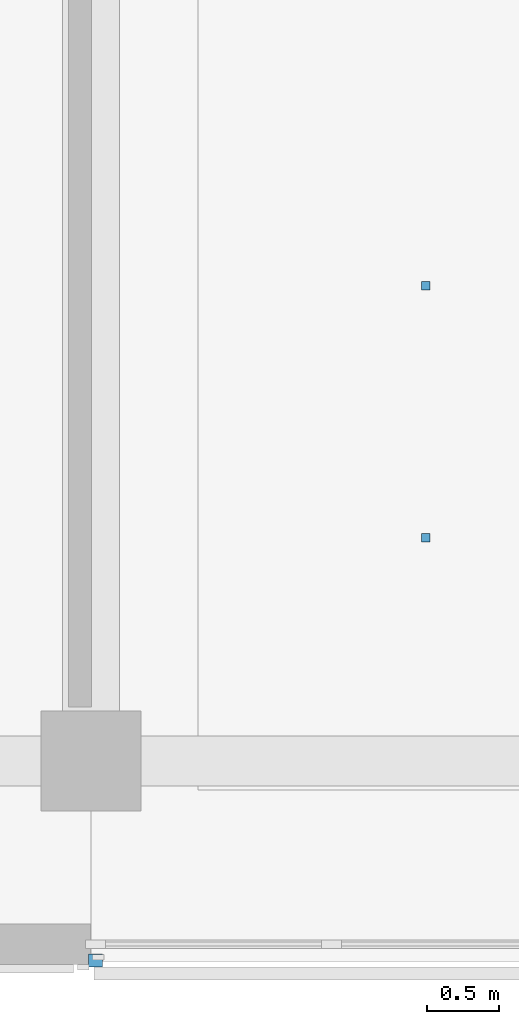
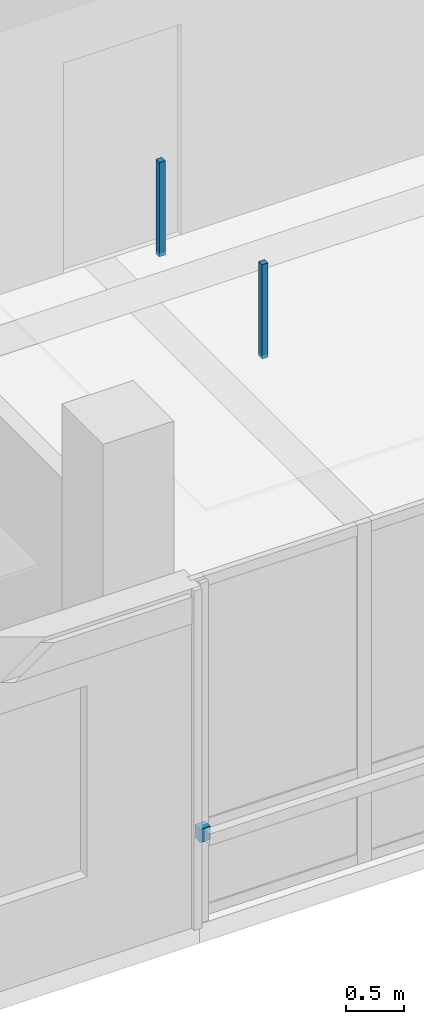
# One storey, part 16 of 32: 3 discrete accessories.
"""IFC4 building model written with IfcOpenShell, lengths in metres."""

from ifc_helpers import new_model, si_unit, direction, frame, origin, origin_2d, place, context, subcontext, project, spatial, rectangle, extrude, material, type_object, element, save


model = new_model("IFC4")

# Units and contexts
model_context = context("Model", 3, precision=1e-05, world=origin(), true_north=direction((0.0, 1.0)))
body_context = subcontext(model_context, "Body", "Model", "MODEL_VIEW")
ifc_project = project(units=[si_unit("LENGTHUNIT", "METRE"), si_unit("AREAUNIT", "SQUARE_METRE"), si_unit("VOLUMEUNIT", "CUBIC_METRE"), si_unit("PLANEANGLEUNIT", "RADIAN"), si_unit("MASSUNIT", "GRAM", prefix="KILO")], contexts=[model_context])

# Site, building, storey
site_placement = place(None, origin())
site = spatial("IfcSite", under=ifc_project, at=site_placement, CompositionType="ELEMENT")
building_placement = place(site_placement, origin())
building = spatial("IfcBuilding", under=site, at=building_placement, Name="Telukmera Botanical Conservatory", CompositionType="ELEMENT")
storey_placement = place(building_placement, frame((0.0, 0.0, 42.0)))
storey = spatial("IfcBuildingStorey", under=building, at=storey_placement, Name="L09", CompositionType="ELEMENT", Elevation=42.0)

# Discrete accessories
ifc_material = material(Name="Steel S355", Category="steel")
discrete_accessory_type_1 = type_object("IfcDiscreteAccessoryType", Name="ACC-CEIL-HGR", PredefinedType="BRACKET", material=ifc_material)
for number, where, z_axis, x_axis, name in (
    (1, (77.940673828125, 12.16259765625, 3.31982421875), (0.0, 0.0, 1.0), (1.0, 0.0, 0.0), "L09 Suspended Ceiling Hanger Rod 031-1"),
    (2, (77.940673828125, 13.925048828125, 3.31982421875), (0.0, 0.0, 1.0), (1.0, 0.0, 0.0), "L09 Suspended Ceiling Hanger Rod 031-2"),
):
    element("IfcDiscreteAccessory", number, at=place(storey_placement, frame(where, z_axis=z_axis, x_axis=x_axis)), inside=storey, type_object=discrete_accessory_type_1, Name=name, PredefinedType="BRACKET", context=body_context, shape_type="SweptSolid", body=[
        extrude(rectangle(XDim=0.06005859375, YDim=0.06005859375, at=origin_2d()), origin(), (0.0, 0.0, 1.0), 0.985107421875),
    ])
discrete_accessory_type_2 = type_object("IfcDiscreteAccessoryType", Name="Structural Steel Facade Outrigger Fin Bracket", PredefinedType="BRACKET", material=ifc_material)
discrete_accessory_placement = place(storey_placement, frame((75.632080078125, 9.205078125, 0.8798828125), z_axis=(0.0, 0.0, 1.0), x_axis=(1.0, 0.0, 0.0)))
element("IfcDiscreteAccessory", 3, at=discrete_accessory_placement, inside=storey, type_object=discrete_accessory_type_2, Name="Facade Outrigger Bracket V4:L09:S4 A", PredefinedType="BRACKET", context=body_context, shape_type="SweptSolid", body=[
    extrude(rectangle(XDim=0.10009765625, YDim=0.090087890625, at=origin_2d()), origin(), (0.0, 0.0, 1.0), 0.139892578125),
])

save(model, "model.ifc")
